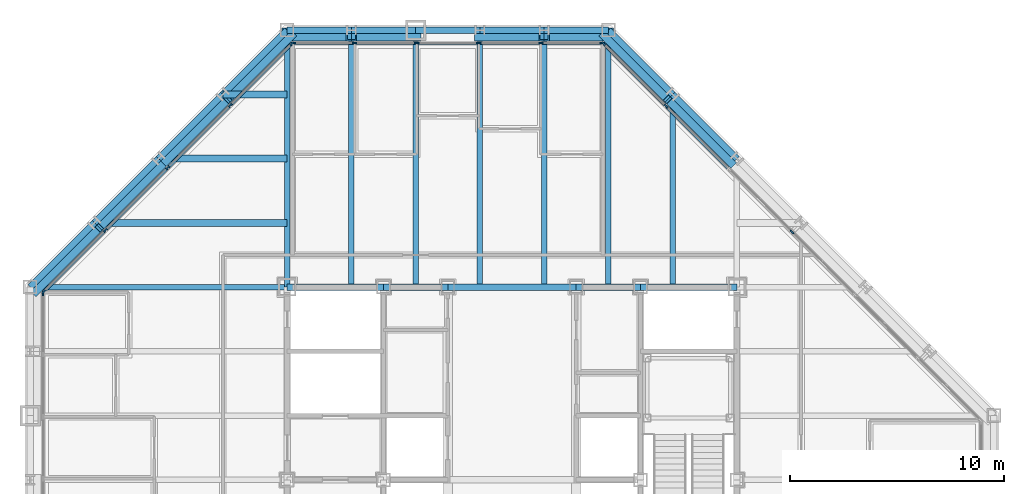
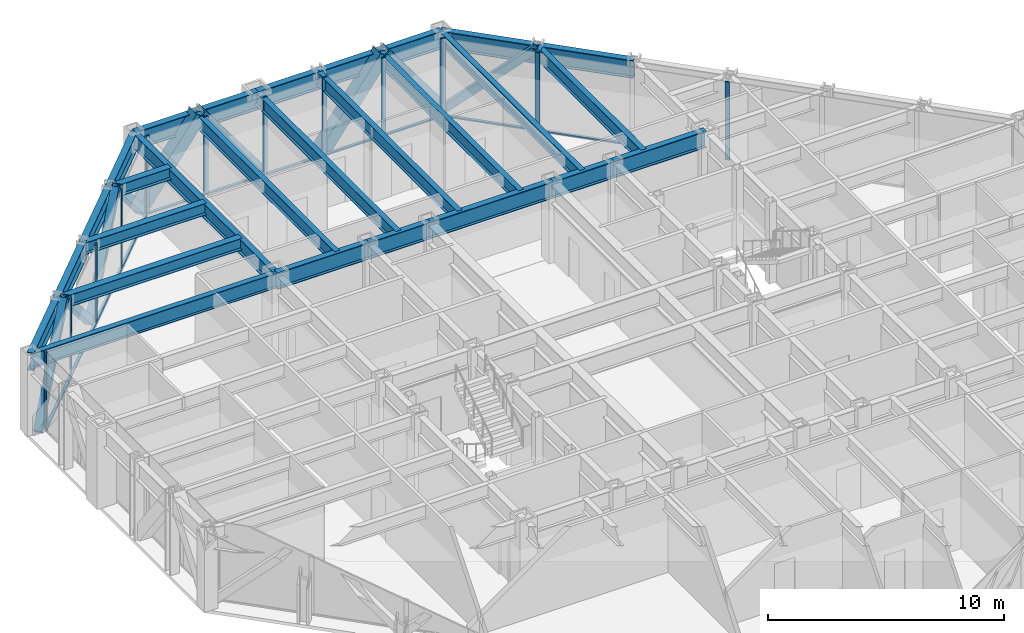
# One storey, part 8 of 16: 36 members, 27 beams, 4 elements without a shape of their own.
"""IFC4 building model written with IfcOpenShell, lengths in metres."""

from ifc_helpers import new_model, si_unit, direction, frame, origin, origin_2d, place, context, subcontext, project, spatial, rectangle, hollow_rectangle, i_section, extrude, material, layer, layer_set, material_profile, profile_set, type_object, element, aggregate, save


model = new_model("IFC4")

# Units and contexts
model_context = context("Model", 3, precision=1e-05, world=origin(), true_north=direction((0.0, 1.0)))
body_context = subcontext(model_context, "Body", "Model", "MODEL_VIEW")
ifc_project = project(units=[si_unit("LENGTHUNIT", "METRE"), si_unit("AREAUNIT", "SQUARE_METRE"), si_unit("VOLUMEUNIT", "CUBIC_METRE"), si_unit("PLANEANGLEUNIT", "RADIAN"), si_unit("MASSUNIT", "GRAM", prefix="KILO")], contexts=[model_context])

# Site, building, storey
site_placement = place(None, origin())
site = spatial("IfcSite", under=ifc_project, at=site_placement, CompositionType="ELEMENT")
building_placement = place(site_placement, origin())
building = spatial("IfcBuilding", under=site, at=building_placement, Name="Chuquiago Exchange Tower", CompositionType="ELEMENT")
storey_placement = place(building_placement, frame((0.0, 0.0, 201.300048828125)))
storey = spatial("IfcBuildingStorey", under=building, at=storey_placement, Name="L44", CompositionType="ELEMENT", Elevation=201.300048828125)

# Beams
ifc_material_1 = material(Name="Steel ASTM A992", Category="steel")
ifc_material_profile_1 = material_profile(ifc_material_1, i_section(OverallWidth=0.25390625, OverallDepth=0.683349609375, WebThickness=0.012451171875, FlangeThickness=0.018798828125, at=origin_2d()), Name="W27X94")
ifc_profile_set_1 = profile_set([ifc_material_profile_1], Name="Steel ASTM A992")
beam_type_1 = type_object("IfcBeamType", Name="B1 W27X94", PredefinedType="BEAM", material=ifc_profile_set_1)
for number, where, z_axis, x_axis, name in (
    (1, (15.0, 33.0, 3.6982421875), (0.0, 1.0, 0.0), (-1.0, 0.0, 0.0), "FB-L45-infill-15_33-15_45-0"),
    (2, (18.0, 33.0, 3.6982421875), (0.0, 1.0, 0.0), (-1.0, 0.0, 0.0), "FB-L45-infill-18_33-18_45-0"),
    (3, (21.0, 33.0, 3.6982421875), (0.0, 1.0, 0.0), (-1.0, 0.0, 0.0), "FB-L45-infill-21_33-21_45-0"),
    (4, (24.0, 33.0, 3.6982421875), (0.0, 1.0, 0.0), (-1.0, 0.0, 0.0), "FB-L45-infill-24_33-24_45-0"),
    (5, (27.0, 33.0, 3.6982421875), (0.0, 1.0, 0.0), (-1.0, 0.0, 0.0), "FB-L45-infill-27_33-27_45-0"),
):
    element("IfcBeam", number, at=place(storey_placement, frame(where, z_axis=z_axis, x_axis=x_axis)), inside=storey, type_object=beam_type_1, Name=name, PredefinedType="BEAM", context=body_context, shape_type="SweptSolid", body=[
        extrude(i_section(OverallWidth=0.25390625, OverallDepth=0.683349609375, WebThickness=0.012451171875, FlangeThickness=0.018798828125, at=origin_2d()), origin(), (0.0, 0.0, 1.0), 12.0),
    ])
beam_1_placement = place(storey_placement, frame((30.0, 33.0, 3.6982421875), z_axis=(0.0, 1.0, 0.0), x_axis=(-1.0, 0.0, 0.0)))
element("IfcBeam", 6, at=beam_1_placement, inside=storey, type_object=beam_type_1, Name="FB-L45-infill-30_33-30_42-0", PredefinedType="BEAM", context=body_context, shape_type="SweptSolid", body=[
    extrude(i_section(OverallWidth=0.25390625, OverallDepth=0.683349609375, WebThickness=0.012451171875, FlangeThickness=0.018798828125, at=origin_2d()), origin(), (0.0, 0.0, 1.0), 9.0),
])
ifc_material_2 = material(Name="Steel ASTM A992", Category="steel")
ifc_material_profile_2 = material_profile(ifc_material_2, i_section(OverallWidth=0.3251953125, OverallDepth=0.612060546875, WebThickness=0.0126953125, FlangeThickness=0.01904296875, at=origin_2d()), Name="W24X104")
ifc_profile_set_2 = profile_set([ifc_material_profile_2], Name="Steel ASTM A992")
beam_type_2 = type_object("IfcBeamType", Name="B2 W24X104", PredefinedType="BEAM", material=ifc_profile_set_2)
beam_2_placement = place(storey_placement, frame((12.0, 36.0, 3.73388671875), z_axis=(-1.0, 0.0, 0.0), x_axis=(0.0, -1.0, 0.0)))
element("IfcBeam", 7, at=beam_2_placement, inside=storey, type_object=beam_type_2, Name="FB-L45-corner-12_36-3_36-0", PredefinedType="BEAM", context=body_context, shape_type="SweptSolid", body=[
    extrude(i_section(OverallWidth=0.3251953125, OverallDepth=0.612060546875, WebThickness=0.0126953125, FlangeThickness=0.01904296875, at=origin_2d()), origin(), (0.0, 0.0, 1.0), 9.0),
])
beam_3_placement = place(storey_placement, frame((12.0, 39.0, 3.73388671875), z_axis=(-1.0, 0.0, 0.0), x_axis=(0.0, -1.0, 0.0)))
element("IfcBeam", 8, at=beam_3_placement, inside=storey, type_object=beam_type_2, Name="FB-L45-corner-12_39-6_39-0", PredefinedType="BEAM", context=body_context, shape_type="SweptSolid", body=[
    extrude(i_section(OverallWidth=0.3251953125, OverallDepth=0.612060546875, WebThickness=0.0126953125, FlangeThickness=0.01904296875, at=origin_2d()), origin(), (0.0, 0.0, 1.0), 6.0),
])
beam_4_placement = place(storey_placement, frame((12.0, 42.0, 3.73388671875), z_axis=(-1.0, 0.0, 0.0), x_axis=(0.0, -1.0, 0.0)))
element("IfcBeam", 9, at=beam_4_placement, inside=storey, type_object=beam_type_2, Name="FB-L45-corner-12_42-9_42-0", PredefinedType="BEAM", context=body_context, shape_type="SweptSolid", body=[
    extrude(i_section(OverallWidth=0.3251953125, OverallDepth=0.612060546875, WebThickness=0.0126953125, FlangeThickness=0.01904296875, at=origin_2d()), origin(), (0.0, 0.0, 1.0), 3.0),
])
ifc_material_3 = material(Name="Steel ASTM A992", Category="steel")
ifc_material_profile_3 = material_profile(ifc_material_3, i_section(OverallWidth=0.2919921875, OverallDepth=0.8583984375, WebThickness=0.01708984375, FlangeThickness=0.031005859375, at=origin_2d()), Name="W33X169")
ifc_profile_set_3 = profile_set([ifc_material_profile_3], Name="Steel ASTM A992")
beam_type_3 = type_object("IfcBeamType", Name="B3 W33X169", PredefinedType="BEAM", material=ifc_profile_set_3)
beam_5_placement = place(storey_placement, frame((12.0, 33.0, 3.610595703125), z_axis=(1.0, 0.0, 0.0), x_axis=(0.0, 1.0, 0.0)))
element("IfcBeam", 10, at=beam_5_placement, inside=storey, type_object=beam_type_3, Name="CB-L45-12_33-16.5_33", PredefinedType="BEAM", context=body_context, shape_type="SweptSolid", body=[
    extrude(i_section(OverallWidth=0.2919921875, OverallDepth=0.8583984375, WebThickness=0.01708984375, FlangeThickness=0.031005859375, at=origin_2d()), origin(), (0.0, 0.0, 1.0), 4.5),
])
beam_6_placement = place(storey_placement, frame((16.5, 33.0, 3.610595703125), z_axis=(1.0, 0.0, 0.0), x_axis=(0.0, 1.0, 0.0)))
element("IfcBeam", 11, at=beam_6_placement, inside=storey, type_object=beam_type_3, Name="CB-L45-16.5_33-19.5_33", PredefinedType="BEAM", context=body_context, shape_type="SweptSolid", body=[
    extrude(i_section(OverallWidth=0.2919921875, OverallDepth=0.8583984375, WebThickness=0.01708984375, FlangeThickness=0.031005859375, at=origin_2d()), origin(), (0.0, 0.0, 1.0), 3.0),
])
beam_7_placement = place(storey_placement, frame((19.5, 33.0, 3.610595703125), z_axis=(1.0, 0.0, 0.0), x_axis=(0.0, 1.0, 0.0)))
element("IfcBeam", 12, at=beam_7_placement, inside=storey, type_object=beam_type_3, Name="CB-L45-19.5_33-25.5_33", PredefinedType="BEAM", context=body_context, shape_type="SweptSolid", body=[
    extrude(i_section(OverallWidth=0.2919921875, OverallDepth=0.8583984375, WebThickness=0.01708984375, FlangeThickness=0.031005859375, at=origin_2d()), origin(), (0.0, 0.0, 1.0), 6.0),
])
beam_8_placement = place(storey_placement, frame((25.5, 33.0, 3.610595703125), z_axis=(1.0, 0.0, 0.0), x_axis=(0.0, 1.0, 0.0)))
element("IfcBeam", 13, at=beam_8_placement, inside=storey, type_object=beam_type_3, Name="CB-L45-25.5_33-28.5_33", PredefinedType="BEAM", context=body_context, shape_type="SweptSolid", body=[
    extrude(i_section(OverallWidth=0.2919921875, OverallDepth=0.8583984375, WebThickness=0.01708984375, FlangeThickness=0.031005859375, at=origin_2d()), origin(), (0.0, 0.0, 1.0), 3.0),
])
beam_9_placement = place(storey_placement, frame((28.5, 33.0, 3.610595703125), z_axis=(1.0, 0.0, 0.0), x_axis=(0.0, 1.0, 0.0)))
element("IfcBeam", 14, at=beam_9_placement, inside=storey, type_object=beam_type_3, Name="CB-L45-28.5_33-33_33", PredefinedType="BEAM", context=body_context, shape_type="SweptSolid", body=[
    extrude(i_section(OverallWidth=0.2919921875, OverallDepth=0.8583984375, WebThickness=0.01708984375, FlangeThickness=0.031005859375, at=origin_2d()), origin(), (0.0, 0.0, 1.0), 4.5),
])

# Curtain wall, members
ifc_material_4 = material(Name="Aluminium curtain wall system", Category="aluminium")
ifc_layer_1 = layer(ifc_material_4, 0.22509765625)
ifc_layer_set_1 = layer_set([ifc_layer_1], Name="CW2 office curtain wall")
curtain_wall_type_1 = type_object("IfcCurtainWallType", Name="CW2 office curtain wall", PredefinedType="NOTDEFINED", material=ifc_layer_set_1)
curtain_wall_1_placement = place(storey_placement, origin())
curtain_wall_1 = element("IfcCurtainWall", 15, at=curtain_wall_1_placement, inside=storey, type_object=curtain_wall_type_1, Name="CW2 curtain wall L44", PredefinedType="NOTDEFINED")
ifc_material_5 = material(Name="Aluminium mullion, pale anodised", Category="aluminium")
ifc_material_profile_4 = material_profile(ifc_material_5, rectangle(XDim=0.06494140625, YDim=0.22509765625, at=origin_2d()), Name="AL 65x225")
ifc_profile_set_4 = profile_set([ifc_material_profile_4], Name="Aluminium mullion, pale anodised")
member_type_1 = type_object("IfcMemberType", Name="CW2-M mullion 65x225", PredefinedType="MULLION", material=ifc_profile_set_4)
member_1_placement = place(storey_placement, frame((26.718994140625, 44.39990234375, 0.0), z_axis=(0.0, 0.0, 1.0), x_axis=(0.0, -1.0, 0.0)))
member_1 = element("IfcMember", 16, at=member_1_placement, type_object=member_type_1, Name="CW2 mullion 1", PredefinedType="MULLION", context=body_context, shape_type="SweptSolid", body=[
    extrude(rectangle(XDim=0.06494140625, YDim=0.22509765625, at=origin_2d()), origin(), (0.0, 0.0, 1.0), 4.0400390625),
])
member_2_placement = place(storey_placement, frame((23.850830078125, 44.39990234375, 0.0), z_axis=(0.0, 0.0, 1.0), x_axis=(0.0, -1.0, 0.0)))
member_2 = element("IfcMember", 17, at=member_2_placement, type_object=member_type_1, Name="CW2 mullion 2", PredefinedType="MULLION", context=body_context, shape_type="SweptSolid", body=[
    extrude(rectangle(XDim=0.06494140625, YDim=0.22509765625, at=origin_2d()), origin(), (0.0, 0.0, 1.0), 4.0400390625),
])
member_3_placement = place(storey_placement, frame((20.9501953125, 44.39990234375, 0.0), z_axis=(0.0, 0.0, 1.0), x_axis=(0.0, -1.0, 0.0)))
member_3 = element("IfcMember", 18, at=member_3_placement, type_object=member_type_1, Name="CW2 mullion 3", PredefinedType="MULLION", context=body_context, shape_type="SweptSolid", body=[
    extrude(rectangle(XDim=0.06494140625, YDim=0.22509765625, at=origin_2d()), origin(), (0.0, 0.0, 1.0), 4.0400390625),
])
member_4_placement = place(storey_placement, frame((18.0498046875, 44.39990234375, 0.0), z_axis=(0.0, 0.0, 1.0), x_axis=(0.0, -1.0, 0.0)))
member_4 = element("IfcMember", 19, at=member_4_placement, type_object=member_type_1, Name="CW2 mullion 4", PredefinedType="MULLION", context=body_context, shape_type="SweptSolid", body=[
    extrude(rectangle(XDim=0.06494140625, YDim=0.22509765625, at=origin_2d()), origin(), (0.0, 0.0, 1.0), 4.0400390625),
])
member_5_placement = place(storey_placement, frame((15.149169921875, 44.39990234375, 0.0), z_axis=(0.0, 0.0, 1.0), x_axis=(0.0, -1.0, 0.0)))
member_5 = element("IfcMember", 20, at=member_5_placement, type_object=member_type_1, Name="CW2 mullion 5", PredefinedType="MULLION", context=body_context, shape_type="SweptSolid", body=[
    extrude(rectangle(XDim=0.06494140625, YDim=0.22509765625, at=origin_2d()), origin(), (0.0, 0.0, 1.0), 4.0400390625),
])
member_6_placement = place(storey_placement, frame((12.281005859375, 44.39990234375, 0.0), z_axis=(0.0, 0.0, 1.0), x_axis=(0.0, -1.0, 0.0)))
member_6 = element("IfcMember", 21, at=member_6_placement, type_object=member_type_1, Name="CW2 mullion 6", PredefinedType="MULLION", context=body_context, shape_type="SweptSolid", body=[
    extrude(rectangle(XDim=0.06494140625, YDim=0.22509765625, at=origin_2d()), origin(), (0.0, 0.0, 1.0), 4.0400390625),
])

# Curtain wall, member
curtain_wall_2_placement = place(storey_placement, origin())
curtain_wall_2 = element("IfcCurtainWall", 22, at=curtain_wall_2_placement, inside=storey, type_object=curtain_wall_type_1, Name="CW2 curtain wall L44", PredefinedType="NOTDEFINED")
member_7_placement = place(storey_placement, frame((0.60009765625, 32.718994140625, 0.0), z_axis=(0.0, 0.0, 1.0), x_axis=(1.0, 0.0, 0.0)))
member_7 = element("IfcMember", 23, at=member_7_placement, type_object=member_type_1, Name="CW2 mullion 1", PredefinedType="MULLION", context=body_context, shape_type="SweptSolid", body=[
    extrude(rectangle(XDim=0.06494140625, YDim=0.22509765625, at=origin_2d()), origin(), (0.0, 0.0, 1.0), 4.0400390625),
])
aggregate(curtain_wall_2, [member_7])

# Member
ifc_material_6 = material(Name="Aluminium transom, pale anodised", Category="aluminium")
ifc_material_profile_5 = material_profile(ifc_material_6, rectangle(XDim=0.139892578125, YDim=0.06494140625, at=origin_2d()), Name="AL 140x65")
ifc_profile_set_5 = profile_set([ifc_material_profile_5], Name="Aluminium transom, pale anodised")
member_type_2 = type_object("IfcMemberType", Name="CW2-T transom 65x140", PredefinedType="MULLION", material=ifc_profile_set_5)
member_8_placement = place(storey_placement, frame((26.6865234375, 44.39990234375, 0.032470703125), z_axis=(-1.0, 0.0, 0.0), x_axis=(0.0, -1.0, 0.0)))
member_8 = element("IfcMember", 24, at=member_8_placement, type_object=member_type_2, Name="CW2 transom 1.1", PredefinedType="MULLION", context=body_context, shape_type="SweptSolid", body=[
    extrude(rectangle(XDim=0.139892578125, YDim=0.06494140625, at=origin_2d()), origin(), (0.0, 0.0, 1.0), 2.80322265625),
])

member_9_placement = place(storey_placement, frame((23.818359375, 44.39990234375, 0.032470703125), z_axis=(-1.0, 0.0, 0.0), x_axis=(0.0, -1.0, 0.0)))
member_9 = element("IfcMember", 25, at=member_9_placement, type_object=member_type_2, Name="CW2 transom 2.1", PredefinedType="MULLION", context=body_context, shape_type="SweptSolid", body=[
    extrude(rectangle(XDim=0.139892578125, YDim=0.06494140625, at=origin_2d()), origin(), (0.0, 0.0, 1.0), 2.83544921875),
])

member_10_placement = place(storey_placement, frame((20.917724609375, 44.39990234375, 0.032470703125), z_axis=(-1.0, 0.0, 0.0), x_axis=(0.0, -1.0, 0.0)))
member_10 = element("IfcMember", 26, at=member_10_placement, type_object=member_type_2, Name="CW2 transom 3.1", PredefinedType="MULLION", context=body_context, shape_type="SweptSolid", body=[
    extrude(rectangle(XDim=0.139892578125, YDim=0.06494140625, at=origin_2d()), origin(), (0.0, 0.0, 1.0), 2.83544921875),
])

member_11_placement = place(storey_placement, frame((18.01708984375, 44.39990234375, 0.032470703125), z_axis=(-1.0, 0.0, 0.0), x_axis=(0.0, -1.0, 0.0)))
member_11 = element("IfcMember", 27, at=member_11_placement, type_object=member_type_2, Name="CW2 transom 4.1", PredefinedType="MULLION", context=body_context, shape_type="SweptSolid", body=[
    extrude(rectangle(XDim=0.139892578125, YDim=0.06494140625, at=origin_2d()), origin(), (0.0, 0.0, 1.0), 2.83544921875),
])

member_12_placement = place(storey_placement, frame((15.11669921875, 44.39990234375, 0.032470703125), z_axis=(-1.0, 0.0, 0.0), x_axis=(0.0, -1.0, 0.0)))
member_12 = element("IfcMember", 28, at=member_12_placement, type_object=member_type_2, Name="CW2 transom 5.1", PredefinedType="MULLION", context=body_context, shape_type="SweptSolid", body=[
    extrude(rectangle(XDim=0.139892578125, YDim=0.06494140625, at=origin_2d()), origin(), (0.0, 0.0, 1.0), 2.80322265625),
])

aggregate(curtain_wall_1, [member_1, member_2, member_3, member_4, member_5, member_6, member_8, member_9, member_10, member_11, member_12])

# Curtain wall, members
ifc_material_7 = material(Name="Aluminium curtain wall system", Category="aluminium")
ifc_layer_2 = layer(ifc_material_7, 0.199951171875)
ifc_layer_set_2 = layer_set([ifc_layer_2], Name="CW3 facet curtain wall")
curtain_wall_type_2 = type_object("IfcCurtainWallType", Name="CW3 facet curtain wall", PredefinedType="NOTDEFINED", material=ifc_layer_set_2)
curtain_wall_3_placement = place(storey_placement, origin())
curtain_wall_3 = element("IfcCurtainWall", 29, at=curtain_wall_3_placement, inside=storey, type_object=curtain_wall_type_2, Name="CW3 curtain wall L44", PredefinedType="NOTDEFINED")
ifc_material_8 = material(Name="Aluminium mullion, pale anodised", Category="aluminium")
ifc_material_profile_6 = material_profile(ifc_material_8, rectangle(XDim=0.06494140625, YDim=0.199951171875, at=origin_2d()), Name="AL 65x200")
ifc_profile_set_6 = profile_set([ifc_material_profile_6], Name="Aluminium mullion, pale anodised")
member_type_3 = type_object("IfcMemberType", Name="CW3-M mullion 65x200", PredefinedType="MULLION", material=ifc_profile_set_6)
member_13_placement = place(storey_placement, frame((35.57568359375, 35.57568359375, 0.0), z_axis=(0.0, 0.0, 1.0), x_axis=(-0.707106781187, -0.707106781187, 0.0)))
member_13 = element("IfcMember", 30, at=member_13_placement, type_object=member_type_3, Name="CW3 mullion 4", PredefinedType="MULLION", context=body_context, shape_type="SweptSolid", body=[
    extrude(rectangle(XDim=0.06494140625, YDim=0.199951171875, at=origin_2d()), origin(), (0.0, 0.0, 1.0), 4.0400390625),
])
member_14_placement = place(storey_placement, frame((29.69287109375, 41.45849609375, 0.0), z_axis=(0.0, 0.0, 1.0), x_axis=(-0.707106781187, -0.707106781187, 0.0)))
member_14 = element("IfcMember", 31, at=member_14_placement, type_object=member_type_3, Name="CW3 mullion 6", PredefinedType="MULLION", context=body_context, shape_type="SweptSolid", body=[
    extrude(rectangle(XDim=0.06494140625, YDim=0.199951171875, at=origin_2d()), origin(), (0.0, 0.0, 1.0), 4.0400390625),
])
member_15_placement = place(storey_placement, frame((26.7744140625, 44.376953125, 0.0), z_axis=(0.0, 0.0, 1.0), x_axis=(-0.707106781187, -0.707106781187, 0.0)))
member_15 = element("IfcMember", 32, at=member_15_placement, type_object=member_type_3, Name="CW3 mullion 7", PredefinedType="MULLION", context=body_context, shape_type="SweptSolid", body=[
    extrude(rectangle(XDim=0.06494140625, YDim=0.199951171875, at=origin_2d()), origin(), (0.0, 0.0, 1.0), 4.0400390625),
])

curtain_wall_4_placement = place(storey_placement, origin())
curtain_wall_4 = element("IfcCurtainWall", 33, at=curtain_wall_4_placement, inside=storey, type_object=curtain_wall_type_2, Name="CW3 curtain wall L44", PredefinedType="NOTDEFINED")
member_16_placement = place(storey_placement, frame((12.2255859375, 44.376953125, 0.0), z_axis=(0.0, 0.0, 1.0), x_axis=(0.707106781187, -0.707106781187, 0.0)))
member_16 = element("IfcMember", 34, at=member_16_placement, type_object=member_type_3, Name="CW3 mullion 1", PredefinedType="MULLION", context=body_context, shape_type="SweptSolid", body=[
    extrude(rectangle(XDim=0.06494140625, YDim=0.199951171875, at=origin_2d()), origin(), (0.0, 0.0, 1.0), 4.0400390625),
])
member_17_placement = place(storey_placement, frame((9.33642578125, 41.48779296875, 0.0), z_axis=(0.0, 0.0, 1.0), x_axis=(0.707106781187, -0.707106781187, 0.0)))
member_17 = element("IfcMember", 35, at=member_17_placement, type_object=member_type_3, Name="CW3 mullion 2", PredefinedType="MULLION", context=body_context, shape_type="SweptSolid", body=[
    extrude(rectangle(XDim=0.06494140625, YDim=0.199951171875, at=origin_2d()), origin(), (0.0, 0.0, 1.0), 4.0400390625),
])
member_18_placement = place(storey_placement, frame((6.42431640625, 38.57568359375, 0.0), z_axis=(0.0, 0.0, 1.0), x_axis=(0.707106781187, -0.707106781187, 0.0)))
member_18 = element("IfcMember", 36, at=member_18_placement, type_object=member_type_3, Name="CW3 mullion 3", PredefinedType="MULLION", context=body_context, shape_type="SweptSolid", body=[
    extrude(rectangle(XDim=0.06494140625, YDim=0.199951171875, at=origin_2d()), origin(), (0.0, 0.0, 1.0), 4.0400390625),
])
member_19_placement = place(storey_placement, frame((3.51220703125, 35.66357421875, 0.0), z_axis=(0.0, 0.0, 1.0), x_axis=(0.707106781187, -0.707106781187, 0.0)))
member_19 = element("IfcMember", 37, at=member_19_placement, type_object=member_type_3, Name="CW3 mullion 4", PredefinedType="MULLION", context=body_context, shape_type="SweptSolid", body=[
    extrude(rectangle(XDim=0.06494140625, YDim=0.199951171875, at=origin_2d()), origin(), (0.0, 0.0, 1.0), 4.0400390625),
])
member_20_placement = place(storey_placement, frame((0.623046875, 32.7744140625, 0.0), z_axis=(0.0, 0.0, 1.0), x_axis=(0.707106781187, -0.707106781187, 0.0)))
member_20 = element("IfcMember", 38, at=member_20_placement, type_object=member_type_3, Name="CW3 mullion 5", PredefinedType="MULLION", context=body_context, shape_type="SweptSolid", body=[
    extrude(rectangle(XDim=0.06494140625, YDim=0.199951171875, at=origin_2d()), origin(), (0.0, 0.0, 1.0), 4.0400390625),
])

# Member
ifc_material_9 = material(Name="Aluminium transom, pale anodised", Category="aluminium")
ifc_material_profile_7 = material_profile(ifc_material_9, rectangle(XDim=0.139892578125, YDim=0.06494140625, at=origin_2d()), Name="AL 140x65")
ifc_profile_set_7 = profile_set([ifc_material_profile_7], Name="Aluminium transom, pale anodised")
member_type_4 = type_object("IfcMemberType", Name="CW3-T transom 65x140", PredefinedType="MULLION", material=ifc_profile_set_7)
member_21_placement = place(storey_placement, frame((32.611328125, 38.5400390625, 0.032470703125), z_axis=(-0.707106781187, 0.707106781187, 0.0), x_axis=(-0.707106781187, -0.707106781187, 0.0)))
member_21 = element("IfcMember", 39, at=member_21_placement, type_object=member_type_4, Name="CW3 transom 5.1", PredefinedType="MULLION", context=body_context, shape_type="SweptSolid", body=[
    extrude(rectangle(XDim=0.139892578125, YDim=0.06494140625, at=origin_2d()), origin(), (0.0, 0.0, 1.0), 4.094970703125),
])

member_22_placement = place(storey_placement, frame((29.669921875, 41.4814453125, 0.032470703125), z_axis=(-0.707106781187, 0.707106781187, 0.0), x_axis=(-0.707106781187, -0.707106781187, 0.0)))
member_22 = element("IfcMember", 40, at=member_22_placement, type_object=member_type_4, Name="CW3 transom 6.1", PredefinedType="MULLION", context=body_context, shape_type="SweptSolid", body=[
    extrude(rectangle(XDim=0.139892578125, YDim=0.06494140625, at=origin_2d()), origin(), (0.0, 0.0, 1.0), 4.0625),
])

aggregate(curtain_wall_3, [member_13, member_14, member_15, member_21, member_22])

member_23_placement = place(storey_placement, frame((12.20263671875, 44.35400390625, 0.032470703125), z_axis=(-0.707106781187, -0.707106781187, 0.0), x_axis=(0.707106781187, -0.707106781187, 0.0)))
member_23 = element("IfcMember", 41, at=member_23_placement, type_object=member_type_4, Name="CW3 transom 1.1", PredefinedType="MULLION", context=body_context, shape_type="SweptSolid", body=[
    extrude(rectangle(XDim=0.139892578125, YDim=0.06494140625, at=origin_2d()), origin(), (0.0, 0.0, 1.0), 4.02099609375),
])

member_24_placement = place(storey_placement, frame((9.3134765625, 41.46484375, 0.032470703125), z_axis=(-0.707106781187, -0.707106781187, 0.0), x_axis=(0.707106781187, -0.707106781187, 0.0)))
member_24 = element("IfcMember", 42, at=member_24_placement, type_object=member_type_4, Name="CW3 transom 2.1", PredefinedType="MULLION", context=body_context, shape_type="SweptSolid", body=[
    extrude(rectangle(XDim=0.139892578125, YDim=0.06494140625, at=origin_2d()), origin(), (0.0, 0.0, 1.0), 4.053466796875),
])

member_25_placement = place(storey_placement, frame((6.4013671875, 38.552734375, 0.032470703125), z_axis=(-0.707106781187, -0.707106781187, 0.0), x_axis=(0.707106781187, -0.707106781187, 0.0)))
member_25 = element("IfcMember", 43, at=member_25_placement, type_object=member_type_4, Name="CW3 transom 3.1", PredefinedType="MULLION", context=body_context, shape_type="SweptSolid", body=[
    extrude(rectangle(XDim=0.139892578125, YDim=0.06494140625, at=origin_2d()), origin(), (0.0, 0.0, 1.0), 4.053466796875),
])

member_26_placement = place(storey_placement, frame((3.4892578125, 35.640625, 0.032470703125), z_axis=(-0.707106781187, -0.707106781187, 0.0), x_axis=(0.707106781187, -0.707106781187, 0.0)))
member_26 = element("IfcMember", 44, at=member_26_placement, type_object=member_type_4, Name="CW3 transom 4.1", PredefinedType="MULLION", context=body_context, shape_type="SweptSolid", body=[
    extrude(rectangle(XDim=0.139892578125, YDim=0.06494140625, at=origin_2d()), origin(), (0.0, 0.0, 1.0), 4.02099609375),
])

aggregate(curtain_wall_4, [member_16, member_17, member_18, member_19, member_20, member_23, member_24, member_25, member_26])

# Beams
ifc_material_10 = material(Name="Steel ASTM A992", Category="steel")
ifc_material_profile_8 = material_profile(ifc_material_10, i_section(OverallWidth=0.2666015625, OverallDepth=0.76953125, WebThickness=0.015625, FlangeThickness=0.025390625, at=origin_2d()), Name="W30X132")
ifc_profile_set_8 = profile_set([ifc_material_profile_8], Name="Steel ASTM A992")
beam_type_4 = type_object("IfcBeamType", Name="G1 W30X132", PredefinedType="BEAM", material=ifc_profile_set_8)
for number, where, z_axis, x_axis, name in (
    (45, (12.0, 33.0, 3.655029296875), (0.0, 1.0, 0.0), (-1.0, 0.0, 0.0), "FB-L45-girder-12_33-12_45-0"),
    (46, (12.0, 33.0, 3.655029296875), (-1.0, 0.0, 0.0), (0.0, -1.0, 0.0), "FB-L45-girder-12_33--0_33-0"),
):
    element("IfcBeam", number, at=place(storey_placement, frame(where, z_axis=z_axis, x_axis=x_axis)), inside=storey, type_object=beam_type_4, Name=name, PredefinedType="BEAM", context=body_context, shape_type="SweptSolid", body=[
        extrude(i_section(OverallWidth=0.2666015625, OverallDepth=0.76953125, WebThickness=0.015625, FlangeThickness=0.025390625, at=origin_2d()), origin(), (0.0, 0.0, 1.0), 12.0),
    ])

# Members
ifc_material_11 = material(Name="Steel ASTM A500 Grade C", Category="steel")
ifc_material_profile_9 = material_profile(ifc_material_11, hollow_rectangle(XDim=0.355712890625, YDim=0.355712890625, WallThickness=0.0146484375, at=origin_2d()), Name="HSS14X14X5/8")
ifc_profile_set_9 = profile_set([ifc_material_profile_9], Name="Steel ASTM A500 Grade C")
member_type_5 = type_object("IfcMemberType", Name="LB2 HSS14X14X5/8", PredefinedType="BRACE", material=ifc_profile_set_9)
for number, where, z_axis, x_axis, name in (
    (47, (32.7685546875, 38.7685546875, 0.0), (-0.512077265487, 0.512077265487, 0.689604051861), (-0.707106781187, -0.707106781187, 0.0), "LB-L44-33_39-30_42"),
    (48, (26.7685546875, 44.7685546875, 0.0), (0.512077265487, -0.512077265487, 0.689604051861), (0.707106781187, 0.707106781187, 0.0), "LB-L44-30_42-27_45"),
    (49, (12.2314453125, 44.7685546875, 0.0), (-0.512077265487, -0.512077265487, 0.689604051861), (0.707106781187, -0.707106781187, 0.0), "LB-L44-12_45-9_42"),
    (50, (6.2314453125, 38.7685546875, 0.0), (0.512077265487, 0.512077265487, 0.689604051861), (-0.707106781187, 0.707106781187, 0.0), "LB-L44-9_42-6_39"),
    (51, (6.2314453125, 38.7685546875, 0.0), (-0.512077265487, -0.512077265487, 0.689604051861), (0.707106781187, -0.707106781187, 0.0), "LB-L44-6_39-3_36"),
    (52, (0.2314453125, 32.7685546875, 0.0), (0.512077265487, 0.512077265487, 0.689604051861), (-0.707106781187, 0.707106781187, 0.0), "LB-L44-3_36-0_33"),
):
    element("IfcMember", number, at=place(storey_placement, frame(where, z_axis=z_axis, x_axis=x_axis)), inside=storey, type_object=member_type_5, Name=name, PredefinedType="BRACE", context=body_context, shape_type="SweptSolid", body=[
        extrude(hollow_rectangle(XDim=0.355712890625, YDim=0.355712890625, WallThickness=0.0146484375, at=origin_2d()), origin(), (0.0, 0.0, 1.0), 5.8583984375),
    ])
ifc_material_12 = material(Name="Steel ASTM A572 Grade 50", Category="steel")
ifc_material_profile_10 = material_profile(ifc_material_12, hollow_rectangle(XDim=0.60009765625, YDim=0.60009765625, WallThickness=0.06005859375, at=origin_2d()), Name="BOX600X600X60")
ifc_profile_set_10 = profile_set([ifc_material_profile_10], Name="Steel ASTM A572 Grade 50")
member_type_6 = type_object("IfcMemberType", Name="MB3 BOX600X600X60", PredefinedType="BRACE", material=ifc_profile_set_10)
for number, where, z_axis, x_axis, name in (
    (53, (27.0, 44.794921875, 0.0), (-0.596173923302, 0.0, 0.802855312728), (0.0, -1.0, 0.0), "Mega diagonal L44 N face"),
    (54, (21.0, 44.794921875, 0.0), (0.596173923302, 0.0, 0.802855312728), (0.0, 1.0, 0.0), "Mega diagonal L44 N face"),
    (55, (18.0, 44.794921875, 0.0), (-0.596173923302, 0.0, 0.802855312728), (0.0, -1.0, 0.0), "Mega diagonal L44 N face"),
    (56, (12.0, 44.794921875, 0.0), (0.596173923302, 0.0, 0.802855312728), (0.0, 1.0, 0.0), "Mega diagonal L44 N face"),
):
    element("IfcMember", number, at=place(storey_placement, frame(where, z_axis=z_axis, x_axis=x_axis)), inside=storey, type_object=member_type_6, Name=name, PredefinedType="BRACE", context=body_context, shape_type="SweptSolid", body=[
        extrude(hollow_rectangle(XDim=0.60009765625, YDim=0.60009765625, WallThickness=0.06005859375, at=origin_2d()), origin(), (0.0, 0.0, 1.0), 5.031982421875),
    ])

# Beams
ifc_material_13 = material(Name="Steel ASTM A992", Category="steel")
ifc_material_profile_11 = material_profile(ifc_material_13, i_section(OverallWidth=0.307373046875, OverallDepth=0.927001953125, WebThickness=0.01953125, FlangeThickness=0.031982421875, at=origin_2d()), Name="W36X194")
ifc_profile_set_11 = profile_set([ifc_material_profile_11], Name="Steel ASTM A992")
beam_type_5 = type_object("IfcBeamType", Name="SP3 W36X194", PredefinedType="SPANDREL", material=ifc_profile_set_11)
for number, where, z_axis, x_axis, name in (
    (57, (33.0, 39.0, 3.576416015625), (-0.707106781187, 0.707106781187, 0.0), (-0.707106781187, -0.707106781187, 0.0), "SPB-L45-33_39-30_42"),
    (58, (30.0, 42.0, 3.576416015625), (-0.707106781187, 0.707106781187, 0.0), (-0.707106781187, -0.707106781187, 0.0), "SPB-L45-30_42-27_45"),
):
    element("IfcBeam", number, at=place(storey_placement, frame(where, z_axis=z_axis, x_axis=x_axis)), inside=storey, type_object=beam_type_5, Name=name, PredefinedType="SPANDREL", context=body_context, shape_type="SweptSolid", body=[
        extrude(i_section(OverallWidth=0.307373046875, OverallDepth=0.927001953125, WebThickness=0.01953125, FlangeThickness=0.031982421875, at=origin_2d()), origin(), (0.0, 0.0, 1.0), 4.24267578125),
    ])
for number, where, z_axis, x_axis, name in (
    (59, (27.0, 45.0, 3.576416015625), (-1.0, 0.0, 0.0), (0.0, -1.0, 0.0), "SPB-L45-27_45-24_45"),
    (60, (24.0, 45.0, 3.576416015625), (-1.0, 0.0, 0.0), (0.0, -1.0, 0.0), "SPB-L45-24_45-21_45"),
    (61, (21.0, 45.0, 3.576416015625), (-1.0, 0.0, 0.0), (0.0, -1.0, 0.0), "SPB-L45-21_45-18_45"),
    (62, (18.0, 45.0, 3.576416015625), (-1.0, 0.0, 0.0), (0.0, -1.0, 0.0), "SPB-L45-18_45-15_45"),
    (63, (15.0, 45.0, 3.576416015625), (-1.0, 0.0, 0.0), (0.0, -1.0, 0.0), "SPB-L45-15_45-12_45"),
):
    element("IfcBeam", number, at=place(storey_placement, frame(where, z_axis=z_axis, x_axis=x_axis)), inside=storey, type_object=beam_type_5, Name=name, PredefinedType="SPANDREL", context=body_context, shape_type="SweptSolid", body=[
        extrude(i_section(OverallWidth=0.307373046875, OverallDepth=0.927001953125, WebThickness=0.01953125, FlangeThickness=0.031982421875, at=origin_2d()), origin(), (0.0, 0.0, 1.0), 3.0),
    ])
for number, where, z_axis, x_axis, name in (
    (64, (12.0, 45.0, 3.576416015625), (-0.707106781187, -0.707106781187, 0.0), (0.707106781187, -0.707106781187, 0.0), "SPB-L45-12_45-9_42"),
    (65, (9.0, 42.0, 3.576416015625), (-0.707106781187, -0.707106781187, 0.0), (0.707106781187, -0.707106781187, 0.0), "SPB-L45-9_42-6_39"),
    (66, (6.0, 39.0, 3.576416015625), (-0.707106781187, -0.707106781187, 0.0), (0.707106781187, -0.707106781187, 0.0), "SPB-L45-6_39-3_36"),
    (67, (3.0, 36.0, 3.576416015625), (-0.707106781187, -0.707106781187, 0.0), (0.707106781187, -0.707106781187, 0.0), "SPB-L45-3_36-0_33"),
):
    element("IfcBeam", number, at=place(storey_placement, frame(where, z_axis=z_axis, x_axis=x_axis)), inside=storey, type_object=beam_type_5, Name=name, PredefinedType="SPANDREL", context=body_context, shape_type="SweptSolid", body=[
        extrude(i_section(OverallWidth=0.307373046875, OverallDepth=0.927001953125, WebThickness=0.01953125, FlangeThickness=0.031982421875, at=origin_2d()), origin(), (0.0, 0.0, 1.0), 4.24267578125),
    ])

save(model, "model.ifc")
